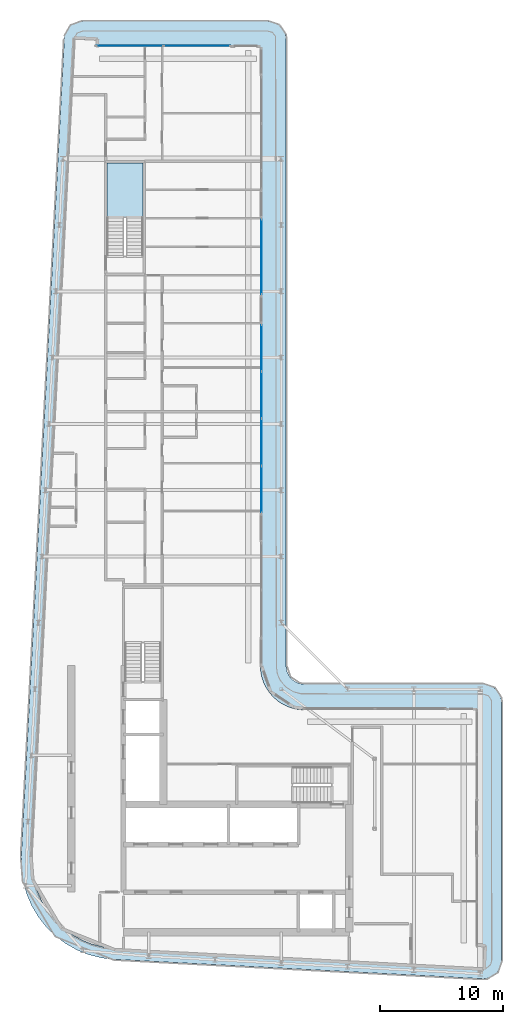
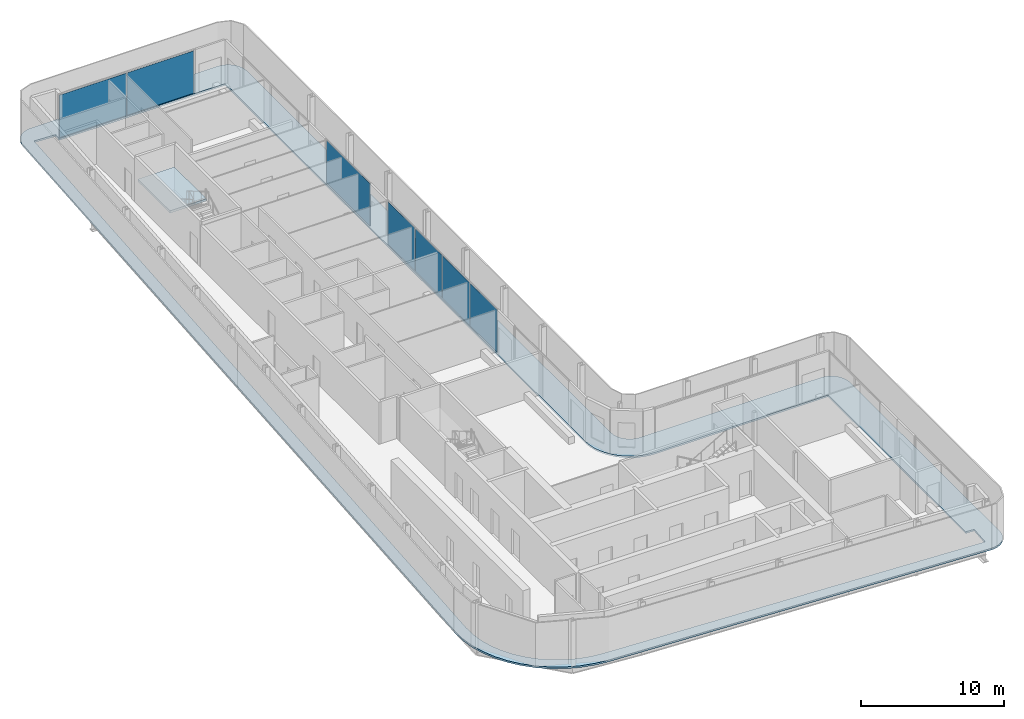
# One storey, part 10 of 21: 7 plates, 2 slabs, 5 elements without a shape of their own.
"""IFC4 building model written with IfcOpenShell, lengths in metres."""

from ifc_helpers import new_model, si_unit, direction, frame, origin, origin_2d, place, context, subcontext, project, spatial, polyline, rectangle, outline, extrude, material, layer, layer_set, type_object, element, aggregate, save


model = new_model("IFC4")

# Units and contexts
model_context = context("Model", 3, precision=1e-05, world=origin(), true_north=direction((0.0, 1.0)))
body_context = subcontext(model_context, "Body", "Model", "MODEL_VIEW")
ifc_project = project(units=[si_unit("LENGTHUNIT", "METRE"), si_unit("AREAUNIT", "SQUARE_METRE"), si_unit("VOLUMEUNIT", "CUBIC_METRE"), si_unit("PLANEANGLEUNIT", "RADIAN"), si_unit("MASSUNIT", "GRAM", prefix="KILO")], contexts=[model_context])

# Site, building, storey
site_placement = place(None, origin())
site = spatial("IfcSite", under=ifc_project, at=site_placement, CompositionType="ELEMENT")
building_placement = place(site_placement, origin())
building = spatial("IfcBuilding", under=site, at=building_placement, Name="Kheshtan School and Residences Tower", CompositionType="ELEMENT")
storey_placement = place(building_placement, frame((0.0, 0.0, 282.5)))
storey = spatial("IfcBuildingStorey", under=building, at=storey_placement, Name="L66", CompositionType="ELEMENT", Elevation=282.5)

# Curtain wall, plates
ifc_material_1 = material(Name="Clear low-e glass in thermally broken aluminium frame", Category="aluminium")
ifc_layer_1 = layer(ifc_material_1, 0.199951171875)
ifc_layer_set_1 = layer_set([ifc_layer_1], Name="Curtain wall CW-L")
curtain_wall_type = type_object("IfcCurtainWallType", Name="Curtain wall CW-L", PredefinedType="NOTDEFINED", material=ifc_layer_set_1)
curtain_wall_1_placement = place(storey_placement, origin())
curtain_wall_1 = element("IfcCurtainWall", 1, at=curtain_wall_1_placement, inside=storey, type_object=curtain_wall_type, Name="Curtain wall CWL7", PredefinedType="NOTDEFINED")
ifc_layer_2 = layer(ifc_material_1, 0.031982421875)
ifc_layer_set_2 = layer_set([ifc_layer_2], Name="CW-L glass panel")
plate_type = type_object("IfcPlateType", Name="CW-L glass panel", PredefinedType="CURTAIN_PANEL", material=ifc_layer_set_2)
plate_1_placement = place(storey_placement, frame((35.259033203125, 98.0, 0.0), z_axis=(0.0, 0.0, 1.0), x_axis=(1.0, 0.0, 0.0)))
plate_1 = element("IfcPlate", 2, at=plate_1_placement, type_object=plate_type, Name="CWL7 panel 1.1", PredefinedType="CURTAIN_PANEL", context=body_context, shape_type="SweptSolid", body=[
    extrude(rectangle(XDim=5.4140625, YDim=0.031982421875, at=origin_2d()), origin(), (0.0, 0.0, 1.0), 3.6298828125),
])
plate_2_placement = place(storey_placement, frame((40.73291015625, 98.0, 0.0), z_axis=(0.0, 0.0, 1.0), x_axis=(1.0, 0.0, 0.0)))
plate_2 = element("IfcPlate", 3, at=plate_2_placement, type_object=plate_type, Name="CWL7 panel 2.1", PredefinedType="CURTAIN_PANEL", context=body_context, shape_type="SweptSolid", body=[
    extrude(rectangle(XDim=5.4140625, YDim=0.031982421875, at=origin_2d()), origin(), (0.0, 0.0, 1.0), 3.6298828125),
])
aggregate(curtain_wall_1, [plate_1, plate_2])

# Curtain wall, plate
curtain_wall_2_placement = place(storey_placement, origin())
curtain_wall_2 = element("IfcCurtainWall", 4, at=curtain_wall_2_placement, inside=storey, type_object=curtain_wall_type, Name="Curtain wall CWL8d", PredefinedType="NOTDEFINED")
plate_3_placement = place(storey_placement, frame((46.0, 80.80908203125, 0.0), z_axis=(0.0, 0.0, 1.0), x_axis=(0.0, -1.0, 0.0)))
plate_3 = element("IfcPlate", 5, at=plate_3_placement, type_object=plate_type, Name="CWL8d panel 1.1", PredefinedType="CURTAIN_PANEL", context=body_context, shape_type="SweptSolid", body=[
    extrude(rectangle(XDim=6.073974609375, YDim=0.031982421875, at=origin_2d()), origin(), (0.0, 0.0, 1.0), 3.6298828125),
])
aggregate(curtain_wall_2, [plate_3])

# Curtain wall, plates
curtain_wall_3_placement = place(storey_placement, origin())
curtain_wall_3 = element("IfcCurtainWall", 6, at=curtain_wall_3_placement, inside=storey, type_object=curtain_wall_type, Name="Curtain wall CWL8", PredefinedType="NOTDEFINED")
plate_4_placement = place(storey_placement, frame((46.0, 73.37353515625, 0.0), z_axis=(0.0, 0.0, 1.0), x_axis=(0.0, -1.0, 0.0)))
plate_4 = element("IfcPlate", 7, at=plate_4_placement, type_object=plate_type, Name="CWL8 panel 1.1", PredefinedType="CURTAIN_PANEL", context=body_context, shape_type="SweptSolid", body=[
    extrude(rectangle(XDim=3.757080078125, YDim=0.031982421875, at=origin_2d()), origin(), (0.0, 0.0, 1.0), 3.6298828125),
])
plate_5_placement = place(storey_placement, frame((46.0, 69.556396484375, 0.0), z_axis=(0.0, 0.0, 1.0), x_axis=(0.0, -1.0, 0.0)))
plate_5 = element("IfcPlate", 8, at=plate_5_placement, type_object=plate_type, Name="CWL8 panel 2.1", PredefinedType="CURTAIN_PANEL", context=body_context, shape_type="SweptSolid", body=[
    extrude(rectangle(XDim=3.757080078125, YDim=0.031982421875, at=origin_2d()), origin(), (0.0, 0.0, 1.0), 3.6298828125),
])
aggregate(curtain_wall_3, [plate_4, plate_5])

curtain_wall_4_placement = place(storey_placement, origin())
curtain_wall_4 = element("IfcCurtainWall", 9, at=curtain_wall_4_placement, inside=storey, type_object=curtain_wall_type, Name="Curtain wall CWL8", PredefinedType="NOTDEFINED")
plate_6_placement = place(storey_placement, frame((46.0, 65.70947265625, 0.0), z_axis=(0.0, 0.0, 1.0), x_axis=(0.0, -1.0, 0.0)))
plate_6 = element("IfcPlate", 10, at=plate_6_placement, type_object=plate_type, Name="CWL8 panel 1.1", PredefinedType="CURTAIN_PANEL", context=body_context, shape_type="SweptSolid", body=[
    extrude(rectangle(XDim=3.81689453125, YDim=0.031982421875, at=origin_2d()), origin(), (0.0, 0.0, 1.0), 3.6298828125),
])
plate_7_placement = place(storey_placement, frame((46.0, 61.862548828125, 0.0), z_axis=(0.0, 0.0, 1.0), x_axis=(0.0, -1.0, 0.0)))
plate_7 = element("IfcPlate", 11, at=plate_7_placement, type_object=plate_type, Name="CWL8 panel 2.1", PredefinedType="CURTAIN_PANEL", context=body_context, shape_type="SweptSolid", body=[
    extrude(rectangle(XDim=3.757080078125, YDim=0.031982421875, at=origin_2d()), origin(), (0.0, 0.0, 1.0), 3.6298828125),
])
aggregate(curtain_wall_4, [plate_6, plate_7])

# Slab
ifc_material_2 = material(Name="Concrete C40/50", Category="concrete")
ifc_layer_3 = layer(ifc_material_2, 0.14990234375)
ifc_layer_set_3 = layer_set([ifc_layer_3], Name="Loggia balcony slab 150 Concrete C40/50")
slab_type_1 = type_object("IfcSlabType", Name="Loggia balcony slab 150 Concrete C40/50", PredefinedType="FLOOR", material=ifc_layer_set_3)
slab_1_placement = place(storey_placement, frame((0.0, 0.0, -0.14990234375)))
element("IfcSlab", 12, at=slab_1_placement, inside=storey, type_object=slab_type_1, Name="Loggia balcony slab L66", PredefinedType="FLOOR", context=body_context, shape_type="SweptSolid", body=[
    extrude(outline(polyline([(28.455078125, 26.22607421875), (28.4541015625, 26.22607421875), (28.4541015625, 26.22705078125), (28.452880859375, 26.22705078125), (28.452880859375, 26.22802734375), (28.451904296875, 26.22802734375), (27.81494140625, 27.0390625), (27.281005859375, 27.93798828125), (26.867919921875, 28.89990234375), (26.583984375, 29.89599609375), (26.583984375, 29.906982421875), (26.43408203125, 30.943115234375), (26.419921875, 31.989013671875), (29.925048828125, 98.5791015625), (29.930908203125, 98.626953125), (29.930908203125, 98.6279296875), (29.929931640625, 98.6279296875), (29.929931640625, 98.62890625), (29.928955078125, 98.62890625), (29.928955078125, 98.6298828125), (29.927978515625, 98.6298828125), (29.927978515625, 98.631103515625), (29.927001953125, 98.631103515625), (29.927001953125, 98.632080078125), (29.927001953125, 98.633056640625), (29.945068359375, 98.781005859375), (29.945068359375, 98.783935546875), (29.945068359375, 98.784912109375), (29.946044921875, 98.784912109375), (29.946044921875, 98.785888671875), (29.947021484375, 98.785888671875), (29.947021484375, 98.787109375), (29.947998046875, 98.787109375), (29.948974609375, 98.787109375), (29.948974609375, 98.7880859375), (29.949951171875, 98.7880859375), (29.949951171875, 98.7890625), (29.949951171875, 98.794921875), (30.0029296875, 98.98388671875), (30.083984375, 99.175048828125), (30.18896484375, 99.35302734375), (30.306884765625, 99.5029296875), (30.30810546875, 99.5029296875), (30.30810546875, 99.50390625), (30.30908203125, 99.50390625), (30.30908203125, 99.5048828125), (30.31005859375, 99.5048828125), (30.31005859375, 99.506103515625), (30.31103515625, 99.506103515625), (30.31103515625, 99.507080078125), (30.31201171875, 99.507080078125), (30.31201171875, 99.508056640625), (30.31298828125, 99.508056640625), (30.31298828125, 99.509033203125), (30.31396484375, 99.509033203125), (30.31396484375, 99.510009765625), (30.31494140625, 99.510009765625), (30.31494140625, 99.510986328125), (30.31591796875, 99.510986328125), (30.31591796875, 99.511962890625), (30.31689453125, 99.511962890625), (30.31689453125, 99.512939453125), (30.318115234375, 99.512939453125), (30.323974609375, 99.512939453125), (30.324951171875, 99.512939453125), (30.324951171875, 99.513916015625), (30.468017578125, 99.656982421875), (30.468994140625, 99.656982421875), (30.468994140625, 99.657958984375), (30.469970703125, 99.657958984375), (30.469970703125, 99.658935546875), (30.470947265625, 99.658935546875), (30.470947265625, 99.659912109375), (30.471923828125, 99.659912109375), (30.471923828125, 99.660888671875), (30.472900390625, 99.660888671875), (30.472900390625, 99.662109375), (30.47412109375, 99.662109375), (30.47412109375, 99.6630859375), (30.47509765625, 99.6630859375), (30.47509765625, 99.6640625), (30.47607421875, 99.6640625), (30.47607421875, 99.6650390625), (30.47705078125, 99.6650390625), (30.47705078125, 99.666015625), (30.47802734375, 99.666015625), (30.47802734375, 99.6669921875), (30.47900390625, 99.6669921875), (30.47900390625, 99.66796875), (30.635986328125, 99.777099609375), (30.820068359375, 99.873046875), (31.0029296875, 99.943115234375), (31.013916015625, 99.943115234375), (31.217041015625, 99.986083984375), (31.423095703125, 100.0), (46.5, 100.0), (46.696044921875, 99.987060546875), (46.887939453125, 99.948974609375), (46.89892578125, 99.948974609375), (47.073974609375, 99.885986328125), (47.242919921875, 99.801025390625), (47.243896484375, 99.801025390625), (47.2470703125, 99.801025390625), (47.248046875, 99.801025390625), (47.248046875, 99.802001953125), (47.2490234375, 99.802001953125), (47.2490234375, 99.802978515625), (47.25, 99.802978515625), (47.2529296875, 99.802978515625), (47.25390625, 99.802978515625), (47.25390625, 99.802001953125), (47.2548828125, 99.802001953125), (47.2548828125, 99.801025390625), (47.256103515625, 99.801025390625), (47.256103515625, 99.800048828125), (47.257080078125, 99.800048828125), (47.257080078125, 99.799072265625), (47.258056640625, 99.799072265625), (47.258056640625, 99.798095703125), (47.412109375, 99.696044921875), (47.4130859375, 99.696044921875), (47.4130859375, 99.695068359375), (47.4140625, 99.695068359375), (47.4140625, 99.694091796875), (47.4140625, 99.68994140625), (47.4140625, 99.68896484375), (47.4150390625, 99.68896484375), (47.4150390625, 99.68798828125), (47.416015625, 99.68798828125), (47.416015625, 99.68701171875), (47.4169921875, 99.68701171875), (47.4169921875, 99.68603515625), (47.551025390625, 99.572021484375), (47.551025390625, 99.571044921875), (47.552001953125, 99.571044921875), (47.552001953125, 99.570068359375), (47.552978515625, 99.570068359375), (47.552978515625, 99.569091796875), (47.553955078125, 99.569091796875), (47.553955078125, 99.568115234375), (47.554931640625, 99.568115234375), (47.554931640625, 99.56689453125), (47.555908203125, 99.56689453125), (47.555908203125, 99.56591796875), (47.556884765625, 99.56591796875), (47.556884765625, 99.56494140625), (47.55810546875, 99.56494140625), (47.55810546875, 99.56396484375), (47.55908203125, 99.56396484375), (47.55908203125, 99.56298828125), (47.56005859375, 99.56298828125), (47.56005859375, 99.56201171875), (47.56103515625, 99.56201171875), (47.56201171875, 99.56103515625), (47.56201171875, 99.56005859375), (47.56298828125, 99.56005859375), (47.56298828125, 99.55908203125), (47.56396484375, 99.55908203125), (47.56396484375, 99.55810546875), (47.56494140625, 99.55810546875), (47.56494140625, 99.556884765625), (47.56591796875, 99.556884765625), (47.56591796875, 99.555908203125), (47.56689453125, 99.555908203125), (47.56689453125, 99.554931640625), (47.568115234375, 99.554931640625), (47.568115234375, 99.553955078125), (47.569091796875, 99.553955078125), (47.569091796875, 99.552978515625), (47.570068359375, 99.552978515625), (47.570068359375, 99.552001953125), (47.571044921875, 99.552001953125), (47.571044921875, 99.551025390625), (47.572021484375, 99.551025390625), (47.68505859375, 99.41796875), (47.68603515625, 99.41796875), (47.68603515625, 99.4169921875), (47.68701171875, 99.4169921875), (47.68701171875, 99.416015625), (47.68798828125, 99.416015625), (47.68798828125, 99.4150390625), (47.68896484375, 99.4150390625), (47.68896484375, 99.4140625), (47.68994140625, 99.4140625), (47.694091796875, 99.4140625), (47.695068359375, 99.4140625), (47.695068359375, 99.4130859375), (47.696044921875, 99.4130859375), (47.696044921875, 99.412109375), (47.797119140625, 99.259033203125), (47.798095703125, 99.259033203125), (47.798095703125, 99.258056640625), (47.799072265625, 99.258056640625), (47.799072265625, 99.257080078125), (47.800048828125, 99.257080078125), (47.800048828125, 99.256103515625), (47.801025390625, 99.256103515625), (47.801025390625, 99.2548828125), (47.802001953125, 99.2548828125), (47.802001953125, 99.25390625), (47.802978515625, 99.25390625), (47.802978515625, 99.2529296875), (47.802978515625, 99.25), (47.802978515625, 99.2490234375), (47.802001953125, 99.2490234375), (47.802001953125, 99.248046875), (47.801025390625, 99.248046875), (47.801025390625, 99.2470703125), (47.801025390625, 99.242919921875), (47.801025390625, 99.241943359375), (47.885986328125, 99.073974609375), (47.948974609375, 98.89892578125), (47.948974609375, 98.887939453125), (47.987060546875, 98.696044921875), (48.0, 98.5), (48.0, 47.5), (48.012939453125, 47.303955078125), (48.051025390625, 47.113037109375), (48.051025390625, 47.10302734375), (48.051025390625, 47.10205078125), (48.114013671875, 46.926025390625), (48.200927734375, 46.75), (48.31005859375, 46.5869140625), (48.427978515625, 46.447998046875), (48.428955078125, 46.447998046875), (48.428955078125, 46.447021484375), (48.429931640625, 46.447021484375), (48.429931640625, 46.446044921875), (48.430908203125, 46.446044921875), (48.430908203125, 46.445068359375), (48.431884765625, 46.445068359375), (48.431884765625, 46.444091796875), (48.43310546875, 46.444091796875), (48.43310546875, 46.443115234375), (48.43408203125, 46.443115234375), (48.43408203125, 46.44189453125), (48.43505859375, 46.44189453125), (48.43505859375, 46.44091796875), (48.43603515625, 46.44091796875), (48.43603515625, 46.43994140625), (48.43701171875, 46.43994140625), (48.43701171875, 46.43896484375), (48.43798828125, 46.43896484375), (48.43896484375, 46.43798828125), (48.43896484375, 46.43701171875), (48.43994140625, 46.43701171875), (48.43994140625, 46.43603515625), (48.44091796875, 46.43603515625), (48.44091796875, 46.43505859375), (48.44189453125, 46.43505859375), (48.44189453125, 46.43408203125), (48.443115234375, 46.43408203125), (48.443115234375, 46.43310546875), (48.444091796875, 46.43310546875), (48.444091796875, 46.431884765625), (48.445068359375, 46.431884765625), (48.445068359375, 46.430908203125), (48.446044921875, 46.430908203125), (48.446044921875, 46.429931640625), (48.447021484375, 46.429931640625), (48.447021484375, 46.428955078125), (48.447998046875, 46.428955078125), (48.447998046875, 46.427978515625), (48.5869140625, 46.31005859375), (48.75, 46.200927734375), (48.926025390625, 46.114013671875), (49.10205078125, 46.051025390625), (49.10302734375, 46.051025390625), (49.113037109375, 46.051025390625), (49.303955078125, 46.012939453125), (49.5, 46.0), (64.050048828125, 46.0), (64.24609375, 45.987060546875), (64.43798828125, 45.948974609375), (64.448974609375, 45.948974609375), (64.6240234375, 45.885986328125), (64.791015625, 45.801025390625), (64.7919921875, 45.801025390625), (64.797119140625, 45.801025390625), (64.798095703125, 45.801025390625), (64.798095703125, 45.802001953125), (64.799072265625, 45.802001953125), (64.799072265625, 45.802978515625), (64.800048828125, 45.802978515625), (64.802978515625, 45.802978515625), (64.803955078125, 45.802978515625), (64.803955078125, 45.802001953125), (64.804931640625, 45.802001953125), (64.804931640625, 45.801025390625), (64.805908203125, 45.801025390625), (64.805908203125, 45.800048828125), (64.806884765625, 45.800048828125), (64.806884765625, 45.799072265625), (64.80810546875, 45.799072265625), (64.80810546875, 45.798095703125), (64.80908203125, 45.798095703125), (64.80908203125, 45.797119140625), (64.81005859375, 45.797119140625), (64.81005859375, 45.7958984375), (64.9619140625, 45.696044921875), (64.962890625, 45.696044921875), (64.962890625, 45.695068359375), (64.964111328125, 45.695068359375), (64.964111328125, 45.694091796875), (64.964111328125, 45.68994140625), (64.964111328125, 45.68896484375), (64.965087890625, 45.68896484375), (64.965087890625, 45.68798828125), (64.966064453125, 45.68798828125), (64.966064453125, 45.68701171875), (64.967041015625, 45.68701171875), (64.967041015625, 45.68603515625), (64.968017578125, 45.68603515625), (64.968017578125, 45.68505859375), (64.968994140625, 45.68505859375), (64.968994140625, 45.68408203125), (65.10107421875, 45.572021484375), (65.10107421875, 45.571044921875), (65.10205078125, 45.571044921875), (65.10205078125, 45.570068359375), (65.10302734375, 45.570068359375), (65.10302734375, 45.569091796875), (65.10400390625, 45.569091796875), (65.10400390625, 45.568115234375), (65.10498046875, 45.568115234375), (65.10498046875, 45.56689453125), (65.10595703125, 45.56689453125), (65.10595703125, 45.56591796875), (65.10693359375, 45.56591796875), (65.10693359375, 45.56494140625), (65.10791015625, 45.56494140625), (65.10791015625, 45.56396484375), (65.10888671875, 45.56396484375), (65.10888671875, 45.56298828125), (65.110107421875, 45.56298828125), (65.110107421875, 45.56201171875), (65.111083984375, 45.56201171875), (65.112060546875, 45.56103515625), (65.112060546875, 45.56005859375), (65.113037109375, 45.56005859375), (65.113037109375, 45.55908203125), (65.114013671875, 45.55908203125), (65.114013671875, 45.55810546875), (65.114990234375, 45.55810546875), (65.114990234375, 45.556884765625), (65.115966796875, 45.556884765625), (65.115966796875, 45.555908203125), (65.116943359375, 45.555908203125), (65.116943359375, 45.554931640625), (65.117919921875, 45.554931640625), (65.117919921875, 45.553955078125), (65.118896484375, 45.553955078125), (65.118896484375, 45.552978515625), (65.1201171875, 45.552978515625), (65.1201171875, 45.552001953125), (65.12109375, 45.552001953125), (65.12109375, 45.551025390625), (65.1220703125, 45.551025390625), (65.22802734375, 45.425048828125), (65.22900390625, 45.425048828125), (65.22900390625, 45.424072265625), (65.22998046875, 45.424072265625), (65.22998046875, 45.423095703125), (65.23095703125, 45.423095703125), (65.23095703125, 45.422119140625), (65.23193359375, 45.422119140625), (65.23193359375, 45.4208984375), (65.23291015625, 45.4208984375), (65.23291015625, 45.419921875), (65.23388671875, 45.419921875), (65.23388671875, 45.4189453125), (65.235107421875, 45.4189453125), (65.235107421875, 45.41796875), (65.236083984375, 45.41796875), (65.236083984375, 45.4169921875), (65.237060546875, 45.4169921875), (65.237060546875, 45.416015625), (65.238037109375, 45.416015625), (65.238037109375, 45.4150390625), (65.239013671875, 45.4150390625), (65.239013671875, 45.4140625), (65.239990234375, 45.4140625), (65.243896484375, 45.4140625), (65.2451171875, 45.4140625), (65.2451171875, 45.4130859375), (65.24609375, 45.4130859375), (65.24609375, 45.412109375), (65.340087890625, 45.26611328125), (65.341064453125, 45.26611328125), (65.341064453125, 45.264892578125), (65.342041015625, 45.264892578125), (65.342041015625, 45.263916015625), (65.343017578125, 45.263916015625), (65.343017578125, 45.262939453125), (65.343994140625, 45.262939453125), (65.343994140625, 45.261962890625), (65.344970703125, 45.261962890625), (65.344970703125, 45.260986328125), (65.345947265625, 45.260986328125), (65.345947265625, 45.260009765625), (65.346923828125, 45.260009765625), (65.346923828125, 45.259033203125), (65.347900390625, 45.259033203125), (65.347900390625, 45.258056640625), (65.34912109375, 45.258056640625), (65.34912109375, 45.257080078125), (65.35009765625, 45.257080078125), (65.35009765625, 45.256103515625), (65.35107421875, 45.256103515625), (65.35107421875, 45.2548828125), (65.35205078125, 45.2548828125), (65.35205078125, 45.25390625), (65.35302734375, 45.25390625), (65.35302734375, 45.2529296875), (65.35302734375, 45.25), (65.35302734375, 45.2490234375), (65.35205078125, 45.2490234375), (65.35205078125, 45.248046875), (65.35107421875, 45.248046875), (65.35107421875, 45.2470703125), (65.35107421875, 45.237060546875), (65.35107421875, 45.236083984375), (65.43603515625, 45.073974609375), (65.4990234375, 44.89892578125), (65.4990234375, 44.887939453125), (65.537109375, 44.696044921875), (65.550048828125, 44.5), (65.550048828125, 23.4990234375), (65.535888671875, 23.297119140625), (65.4951171875, 23.09912109375), (65.4951171875, 23.087890625), (65.427978515625, 22.906982421875), (65.3359375, 22.72705078125), (65.23095703125, 22.571044921875), (65.22998046875, 22.571044921875), (65.22998046875, 22.570068359375), (65.22900390625, 22.570068359375), (65.22900390625, 22.569091796875), (65.22802734375, 22.569091796875), (65.22802734375, 22.568115234375), (65.22705078125, 22.568115234375), (65.22705078125, 22.56689453125), (65.22607421875, 22.56689453125), (65.22607421875, 22.56591796875), (65.22509765625, 22.56591796875), (65.22509765625, 22.56494140625), (65.22412109375, 22.56494140625), (65.22412109375, 22.56396484375), (65.222900390625, 22.56396484375), (65.222900390625, 22.56298828125), (65.221923828125, 22.56298828125), (65.221923828125, 22.56201171875), (65.220947265625, 22.56201171875), (65.220947265625, 22.56103515625), (65.220947265625, 22.55908203125), (65.220947265625, 22.55810546875), (65.221923828125, 22.55810546875), (65.221923828125, 22.556884765625), (65.221923828125, 22.554931640625), (65.221923828125, 22.553955078125), (65.220947265625, 22.553955078125), (65.220947265625, 22.552978515625), (65.089111328125, 22.416015625), (65.087890625, 22.416015625), (65.087890625, 22.4150390625), (65.087890625, 22.410888671875), (65.087890625, 22.409912109375), (65.0869140625, 22.409912109375), (65.0869140625, 22.408935546875), (65.0869140625, 22.407958984375), (65.0859375, 22.407958984375), (65.0859375, 22.406982421875), (65.0849609375, 22.406982421875), (65.0849609375, 22.406005859375), (65.083984375, 22.406005859375), (65.0830078125, 22.406005859375), (65.0830078125, 22.405029296875), (65.08203125, 22.405029296875), (65.08203125, 22.404052734375), (65.0810546875, 22.404052734375), (65.0810546875, 22.403076171875), (65.080078125, 22.403076171875), (65.080078125, 22.402099609375), (65.0791015625, 22.402099609375), (65.0791015625, 22.40087890625), (65.077880859375, 22.40087890625), (65.077880859375, 22.39990234375), (65.076904296875, 22.39990234375), (65.076904296875, 22.39892578125), (65.075927734375, 22.39892578125), (65.075927734375, 22.39794921875), (65.074951171875, 22.39794921875), (65.074951171875, 22.39697265625), (65.073974609375, 22.39697265625), (65.073974609375, 22.39599609375), (65.072998046875, 22.39599609375), (65.072998046875, 22.39501953125), (65.072021484375, 22.39501953125), (65.072021484375, 22.39404296875), (64.93310546875, 22.281982421875), (64.931884765625, 22.281982421875), (64.931884765625, 22.281005859375), (64.930908203125, 22.281005859375), (64.928955078125, 22.281005859375), (64.927978515625, 22.281005859375), (64.927978515625, 22.281982421875), (64.927001953125, 22.281982421875), (64.926025390625, 22.281982421875), (64.925048828125, 22.281982421875), (64.75390625, 22.175048828125), (64.569091796875, 22.092041015625), (64.385009765625, 22.034912109375), (64.3740234375, 22.034912109375), (64.174072265625, 22.0048828125), (63.970947265625, 22.001953125), (33.989013671875, 23.580078125), (33.94189453125, 23.5859375), (33.94091796875, 23.5859375), (33.93994140625, 23.5859375), (33.93994140625, 23.5849609375), (33.93896484375, 23.5849609375), (33.93896484375, 23.583984375), (33.93798828125, 23.583984375), (33.93798828125, 23.5830078125), (33.93701171875, 23.5830078125), (33.93701171875, 23.58203125), (33.93603515625, 23.58203125), (33.93505859375, 23.58203125), (32.952880859375, 23.697998046875), (32.949951171875, 23.697998046875), (32.948974609375, 23.697998046875), (32.948974609375, 23.698974609375), (32.947998046875, 23.698974609375), (32.947998046875, 23.699951171875), (32.947021484375, 23.699951171875), (32.947021484375, 23.700927734375), (32.947021484375, 23.702880859375), (32.947021484375, 23.7041015625), (32.946044921875, 23.7041015625), (32.946044921875, 23.705078125), (32.945068359375, 23.705078125), (32.944091796875, 23.705078125), (31.93603515625, 23.9609375), (31.925048828125, 23.9609375), (30.964111328125, 24.34912109375), (30.051025390625, 24.860107421875), (29.222900390625, 25.47509765625), (29.222900390625, 25.47607421875), (29.221923828125, 25.47607421875), (29.221923828125, 25.47705078125), (29.220947265625, 25.47705078125), (29.220947265625, 25.47802734375), (29.219970703125, 25.47802734375), (29.219970703125, 25.47900390625), (29.218994140625, 25.47900390625), (29.218994140625, 25.47998046875), (29.218017578125, 25.47998046875), (29.218017578125, 25.48095703125), (29.217041015625, 25.48095703125), (29.217041015625, 25.48193359375), (29.216064453125, 25.48193359375), (29.216064453125, 25.48291015625), (29.215087890625, 25.48291015625), (29.215087890625, 25.48388671875), (29.214111328125, 25.48388671875), (29.214111328125, 25.485107421875), (29.212890625, 25.485107421875), (29.212890625, 25.486083984375), (29.2119140625, 25.486083984375), (28.470947265625, 26.217041015625), (28.470947265625, 26.218017578125), (28.469970703125, 26.218017578125), (28.462890625, 26.218017578125), (28.4619140625, 26.218017578125), (28.4619140625, 26.218994140625), (28.4609375, 26.218994140625), (28.4609375, 26.219970703125), (28.4599609375, 26.219970703125), (28.4599609375, 26.220947265625), (28.458984375, 26.220947265625), (28.458984375, 26.221923828125), (28.4580078125, 26.221923828125), (28.4580078125, 26.222900390625), (28.45703125, 26.222900390625), (28.45703125, 26.22412109375), (28.4560546875, 26.22412109375), (28.4560546875, 26.22509765625), (28.455078125, 26.22509765625), (28.455078125, 26.22607421875)]), holes=[polyline([(29.125, 26.8291015625), (29.125, 26.827880859375), (29.1259765625, 26.827880859375), (29.1259765625, 26.826904296875), (29.126953125, 26.826904296875), (29.126953125, 26.825927734375), (29.1279296875, 26.825927734375), (29.1279296875, 26.824951171875), (29.12890625, 26.824951171875), (29.12890625, 26.823974609375), (29.1298828125, 26.823974609375), (29.1298828125, 26.822998046875), (29.131103515625, 26.822998046875), (29.131103515625, 26.822021484375), (29.132080078125, 26.822021484375), (29.132080078125, 26.821044921875), (29.133056640625, 26.821044921875), (29.133056640625, 26.820068359375), (29.134033203125, 26.820068359375), (29.7900390625, 26.173095703125), (29.7900390625, 26.172119140625), (29.791015625, 26.172119140625), (29.798095703125, 26.172119140625), (29.799072265625, 26.172119140625), (29.799072265625, 26.1708984375), (29.800048828125, 26.1708984375), (29.800048828125, 26.169921875), (29.801025390625, 26.169921875), (29.801025390625, 26.1689453125), (29.802001953125, 26.1689453125), (29.802001953125, 26.16796875), (29.802978515625, 26.16796875), (29.802978515625, 26.1669921875), (29.803955078125, 26.1669921875), (29.803955078125, 26.166015625), (29.804931640625, 26.166015625), (29.804931640625, 26.1650390625), (29.805908203125, 26.1650390625), (29.805908203125, 26.1640625), (29.806884765625, 26.1640625), (29.806884765625, 26.1630859375), (29.80810546875, 26.1630859375), (29.80810546875, 26.162109375), (30.541015625, 25.616943359375), (31.35205078125, 25.1630859375), (32.205078125, 24.819091796875), (32.2060546875, 24.819091796875), (32.216064453125, 24.819091796875), (33.114990234375, 24.590087890625), (34.06591796875, 24.47705078125), (63.988037109375, 22.902099609375), (64.014892578125, 22.903076171875), (64.01611328125, 22.903076171875), (64.01708984375, 22.903076171875), (64.01708984375, 22.904052734375), (64.01806640625, 22.904052734375), (64.01806640625, 22.905029296875), (64.01806640625, 22.906005859375), (64.10791015625, 24.594970703125), (64.10791015625, 24.595947265625), (64.10791015625, 24.596923828125), (64.10693359375, 24.596923828125), (64.10693359375, 24.597900390625), (64.10595703125, 24.597900390625), (64.10498046875, 24.597900390625), (63.450927734375, 24.633056640625), (63.449951171875, 24.633056640625), (63.449951171875, 24.634033203125), (63.449951171875, 43.89794921875), (63.449951171875, 43.89892578125), (63.448974609375, 43.89892578125), (63.448974609375, 43.89990234375), (63.447998046875, 43.89990234375), (49.429931640625, 43.89990234375), (49.030029296875, 43.927001953125), (48.569091796875, 44.01806640625), (48.55810546875, 44.01806640625), (48.1201171875, 44.169921875), (47.697021484375, 44.37890625), (47.30810546875, 44.638916015625), (46.9609375, 44.93994140625), (46.9609375, 44.94091796875), (46.9599609375, 44.94091796875), (46.9599609375, 44.94189453125), (46.958984375, 44.94189453125), (46.958984375, 44.943115234375), (46.9580078125, 44.943115234375), (46.9580078125, 44.944091796875), (46.95703125, 44.944091796875), (46.95703125, 44.945068359375), (46.9560546875, 44.945068359375), (46.9560546875, 44.946044921875), (46.955078125, 44.946044921875), (46.955078125, 44.947021484375), (46.9541015625, 44.947021484375), (46.9541015625, 44.947998046875), (46.952880859375, 44.947998046875), (46.952880859375, 44.948974609375), (46.951904296875, 44.948974609375), (46.951904296875, 44.949951171875), (46.951904296875, 44.950927734375), (46.950927734375, 44.950927734375), (46.950927734375, 44.951904296875), (46.949951171875, 44.951904296875), (46.948974609375, 44.951904296875), (46.948974609375, 44.952880859375), (46.947998046875, 44.952880859375), (46.947998046875, 44.9541015625), (46.947021484375, 44.9541015625), (46.947021484375, 44.955078125), (46.946044921875, 44.955078125), (46.946044921875, 44.9560546875), (46.945068359375, 44.9560546875), (46.945068359375, 44.95703125), (46.944091796875, 44.95703125), (46.944091796875, 44.9580078125), (46.943115234375, 44.9580078125), (46.943115234375, 44.958984375), (46.94189453125, 44.958984375), (46.94189453125, 44.9599609375), (46.94091796875, 44.9599609375), (46.94091796875, 44.9609375), (46.93994140625, 44.9609375), (46.638916015625, 45.30810546875), (46.37890625, 45.697021484375), (46.169921875, 46.1201171875), (46.01806640625, 46.55810546875), (46.01806640625, 46.569091796875), (45.927001953125, 47.030029296875), (45.89990234375, 47.429931640625), (45.89990234375, 97.89794921875), (45.89990234375, 97.89892578125), (45.89892578125, 97.89892578125), (45.89892578125, 97.89990234375), (45.89794921875, 97.89990234375), (32.492919921875, 97.89990234375), (32.491943359375, 97.89990234375), (32.52099609375, 98.43896484375), (32.52099609375, 98.43994140625), (32.52099609375, 98.44091796875), (32.52001953125, 98.44091796875), (32.52001953125, 98.44189453125), (32.51904296875, 98.44189453125), (32.51806640625, 98.44189453125), (30.8291015625, 98.531982421875), (30.827880859375, 98.531982421875), (30.826904296875, 98.531982421875), (30.826904296875, 98.531005859375), (30.825927734375, 98.531005859375), (30.825927734375, 98.530029296875), (30.825927734375, 98.529052734375), (30.822021484375, 98.5009765625), (27.320068359375, 31.970947265625), (27.3330078125, 31.013916015625), (27.466064453125, 30.093994140625), (27.466064453125, 30.083984375), (27.466064453125, 30.0830078125), (27.718017578125, 29.200927734375), (28.0849609375, 28.345947265625), (28.55908203125, 27.550048828125), (29.123046875, 26.830078125), (29.1240234375, 26.830078125), (29.1240234375, 26.8291015625), (29.125, 26.8291015625)])]), origin(), (0.0, 0.0, 1.0), 0.14990234375),
])

# Stair, slab
stair_type = type_object("IfcStairType", Name="Exit stair, half-turn", PredefinedType="HALF_TURN_STAIR", material=ifc_material_2)
stair_placement = place(storey_placement, origin())
stair = element("IfcStair", 13, at=stair_placement, inside=storey, type_object=stair_type, Name="L66 Protected Exit Stair ST3", PredefinedType="HALF_TURN_STAIR")
ifc_layer_4 = layer(ifc_material_2, 0.199951171875)
ifc_layer_set_4 = layer_set([ifc_layer_4], Name="Stair landing 200 Concrete C40/50")
slab_type_2 = type_object("IfcSlabType", Name="Stair landing 200 Concrete C40/50", PredefinedType="LANDING", material=ifc_layer_set_4)
slab_2_placement = place(storey_placement, frame((0.0, 0.0, 1.75)))
slab_2 = element("IfcSlab", 14, at=slab_2_placement, type_object=slab_type_2, Name="ST3 landing 1", PredefinedType="LANDING", context=body_context, shape_type="SweptSolid", body=[
    extrude(outline(polyline([(36.35009765625, 83.97998046875), (36.35009765625, 88.4599609375), (33.39990234375, 88.4599609375), (33.39990234375, 83.97998046875), (36.35009765625, 83.97998046875)])), origin(), (0.0, 0.0, 1.0), 0.199951171875),
])
aggregate(stair, [slab_2])

save(model, "model.ifc")
